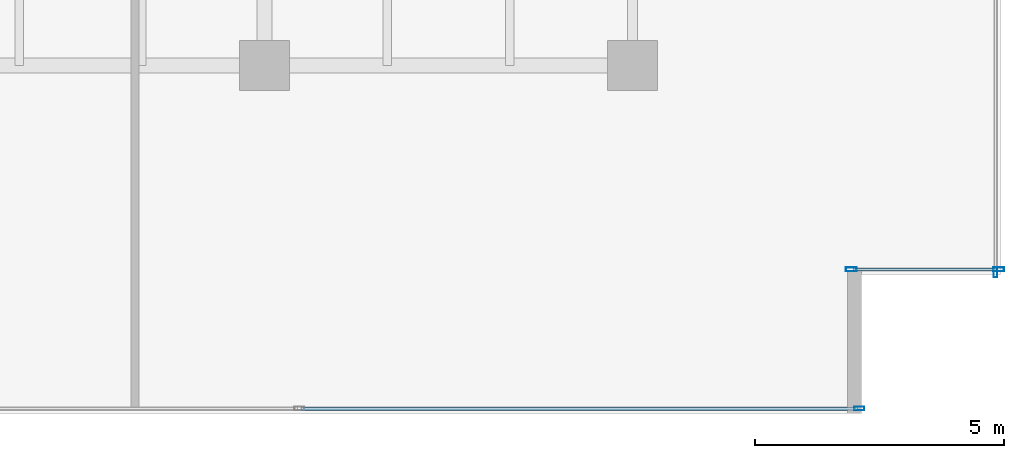
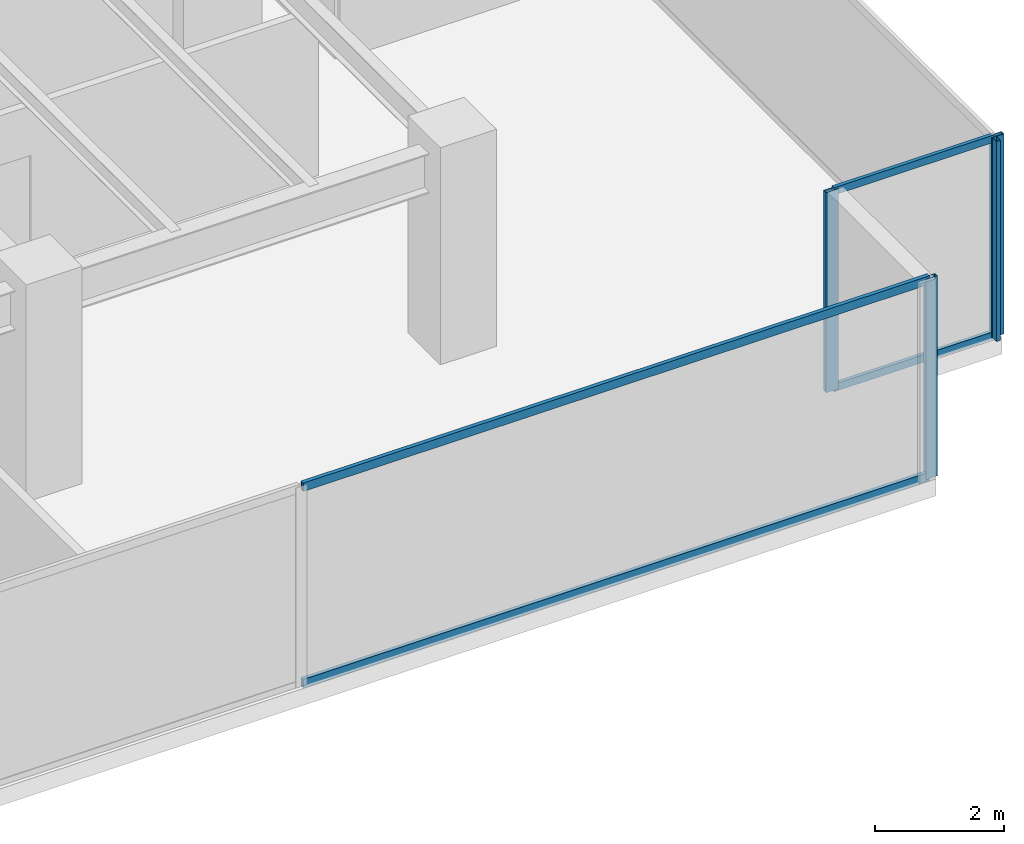
# One storey, part 23 of 35: 8 members, 3 elements without a shape of their own.
"""IFC4 building model written with IfcOpenShell, lengths in metres."""

from ifc_helpers import new_model, si_unit, direction, frame, origin, origin_2d, place, context, subcontext, project, spatial, hollow_rectangle, extrude, source, transform, mapped, material, layer, layer_set, material_profile, profile_set, type_object, type_shapes, element, aggregate, save


model = new_model("IFC4")

# Units and contexts
model_context = context("Model", 3, precision=1e-05, world=origin(), true_north=direction((0.0, 1.0)))
body_context = subcontext(model_context, "Body", "Model", "MODEL_VIEW")
ifc_project = project(units=[si_unit("LENGTHUNIT", "METRE"), si_unit("AREAUNIT", "SQUARE_METRE"), si_unit("VOLUMEUNIT", "CUBIC_METRE"), si_unit("PLANEANGLEUNIT", "RADIAN"), si_unit("MASSUNIT", "GRAM", prefix="KILO")], contexts=[model_context])

# Site, building, storey
site_placement = place(None, origin())
site = spatial("IfcSite", under=ifc_project, at=site_placement, CompositionType="ELEMENT")
building_placement = place(site_placement, origin())
building = spatial("IfcBuilding", under=site, at=building_placement, Name="Haelvirn Gate Laboratories", CompositionType="ELEMENT")
storey_placement = place(building_placement, frame((0.0, 0.0, 86.699951171875)))
storey = spatial("IfcBuildingStorey", under=building, at=storey_placement, Name="L21", CompositionType="ELEMENT", Elevation=86.699951171875)

# Curtain wall, member
ifc_material_1 = material(Name="Anodised bronze unitised aluminium & triple low-E glass", Category="aluminium")
ifc_layer_1 = layer(ifc_material_1, 0.18408203125, Name="CW-SYS-2")
ifc_layer_set_1 = layer_set([ifc_layer_1], Name="Anodised bronze unitised aluminium & triple low-E glass")
curtain_wall_type_1 = type_object("IfcCurtainWallType", Name="CW-SYS-2", PredefinedType="NOTDEFINED", material=ifc_layer_set_1)
curtain_wall_1_placement = place(storey_placement, origin())
curtain_wall_1 = element("IfcCurtainWall", 1, at=curtain_wall_1_placement, inside=storey, type_object=curtain_wall_type_1, Name="L21 Unitised Curtain Wall CW-L21-P0-E04-1", PredefinedType="NOTDEFINED")
ifc_material_2 = material(Name="Extruded aluminium 6063-T6 (anodised bronze)", Category="aluminium")
ifc_material_profile_1 = material_profile(ifc_material_2, hollow_rectangle(XDim=0.074951171875, YDim=0.199951171875, WallThickness=0.0048828125, at=origin_2d()), Name="CWM-200x75x5")
ifc_profile_set_1 = profile_set([ifc_material_profile_1], Name="Extruded aluminium 6063-T6 (anodised bronze)")
member_type_1 = type_object("IfcMemberType", Name="CWM-T200", PredefinedType="MULLION", material=ifc_profile_set_1)
shared_shape_1 = source(origin(), body_context, "Body", "SweptSolid", [
    extrude(hollow_rectangle(XDim=0.074951171875, YDim=0.199951171875, WallThickness=0.0048828125, at=origin_2d()), origin(), (0.0, 0.0, 1.0), 3.780029296875),
])
type_shapes(member_type_1, [shared_shape_1])
member_1_placement = place(storey_placement, frame((71.96240234375, 0.10009765625, 0.0), z_axis=(0.0, 0.0, 1.0), x_axis=(0.0, 1.0, 0.0)))
member_1 = element("IfcMember", 2, at=member_1_placement, type_object=member_type_1, Name="CW2 mullion 3", PredefinedType="MULLION", context=body_context, shape_type="MappedRepresentation", body=[
    mapped(shared_shape_1, transform((0.0, 0.0, 0.0), scale=1.0)),
])

curtain_wall_2_placement = place(storey_placement, origin())
curtain_wall_2 = element("IfcCurtainWall", 3, at=curtain_wall_2_placement, inside=storey, type_object=curtain_wall_type_1, Name="L21 Unitised Curtain Wall CW-L21-P0-E07", PredefinedType="NOTDEFINED")
member_2_placement = place(storey_placement, frame((74.699951171875, 2.83740234375, 0.0), z_axis=(0.0, 0.0, 1.0), x_axis=(-1.0, 0.0, 0.0)))
member_2 = element("IfcMember", 4, at=member_2_placement, type_object=member_type_1, Name="CW2 mullion 1", PredefinedType="MULLION", context=body_context, shape_type="MappedRepresentation", body=[
    mapped(shared_shape_1, transform((0.0, 0.0, 0.0), scale=1.0)),
])
aggregate(curtain_wall_2, [member_2])

# Member
ifc_material_profile_2 = material_profile(ifc_material_2, hollow_rectangle(XDim=0.070068359375, YDim=0.159912109375, WallThickness=0.0048828125, at=origin_2d()), Name="CWT-160x70x5")
ifc_profile_set_2 = profile_set([ifc_material_profile_2], Name="Extruded aluminium 6063-T6 (anodised bronze)")
member_type_2 = type_object("IfcMemberType", Name="CWT-T160", PredefinedType="USERDEFINED", material=ifc_profile_set_2)
shared_shape_2 = source(origin(), body_context, "Body", "SweptSolid", [
    extrude(hollow_rectangle(XDim=0.070068359375, YDim=0.159912109375, WallThickness=0.0048828125, at=origin_2d()), origin(), (0.0, 0.0, 1.0), 11.1875),
])
type_shapes(member_type_2, [shared_shape_2])
member_3_placement = place(storey_placement, frame((60.737548828125, 0.10009765625, 0.03515625), z_axis=(1.0, 0.0, 0.0), x_axis=(0.0, 1.0, 0.0)))
member_3 = element("IfcMember", 5, at=member_3_placement, type_object=member_type_2, Name="CW2 transom 2.1", ObjectType="TRANSOM", PredefinedType="USERDEFINED", context=body_context, shape_type="MappedRepresentation", body=[
    mapped(shared_shape_2, transform((0.0, 0.0, 0.0), scale=1.0)),
])

member_4_placement = place(storey_placement, frame((60.737548828125, 0.10009765625, 3.7451171875), z_axis=(1.0, 0.0, 0.0), x_axis=(0.0, 1.0, 0.0)))
member_4 = element("IfcMember", 6, at=member_4_placement, type_object=member_type_2, Name="CW2 transom 2.2", ObjectType="TRANSOM", PredefinedType="USERDEFINED", context=body_context, shape_type="MappedRepresentation", body=[
    mapped(shared_shape_2, transform((0.0, 0.0, 0.0), scale=1.0)),
])

aggregate(curtain_wall_1, [member_1, member_3, member_4])

# Curtain wall, members
ifc_layer_2 = layer(ifc_material_1, 0.181884765625, Name="CW-SYS-5")
ifc_layer_set_2 = layer_set([ifc_layer_2], Name="Anodised bronze unitised aluminium & triple low-E glass")
curtain_wall_type_2 = type_object("IfcCurtainWallType", Name="CW-SYS-5", PredefinedType="NOTDEFINED", material=ifc_layer_set_2)
curtain_wall_3_placement = place(storey_placement, origin())
curtain_wall_3 = element("IfcCurtainWall", 7, at=curtain_wall_3_placement, inside=storey, type_object=curtain_wall_type_2, Name="L21 Unitised Curtain Wall CW-L21-P0-E06-1", PredefinedType="NOTDEFINED")
ifc_material_profile_3 = material_profile(ifc_material_2, hollow_rectangle(XDim=0.080078125, YDim=0.219970703125, WallThickness=0.006103515625, at=origin_2d()), Name="CWM-220x80x6")
ifc_profile_set_3 = profile_set([ifc_material_profile_3], Name="Extruded aluminium 6063-T6 (anodised bronze)")
member_type_3 = type_object("IfcMemberType", Name="CWM-T220", PredefinedType="MULLION", material=ifc_profile_set_3)
shared_shape_3 = source(origin(), body_context, "Body", "SweptSolid", [
    extrude(hollow_rectangle(XDim=0.080078125, YDim=0.219970703125, WallThickness=0.006103515625, at=origin_2d()), origin(), (0.0, 0.0, 1.0), 3.780029296875),
])
type_shapes(member_type_3, [shared_shape_3])
member_5_placement = place(storey_placement, frame((71.800048828125, 2.89990234375, 0.0), z_axis=(0.0, 0.0, 1.0), x_axis=(0.0, 1.0, 0.0)))
member_5 = element("IfcMember", 8, at=member_5_placement, type_object=member_type_3, Name="CW5 mullion 1", PredefinedType="MULLION", context=body_context, shape_type="MappedRepresentation", body=[
    mapped(shared_shape_3, transform((0.0, 0.0, 0.0), scale=1.0)),
])
member_6_placement = place(storey_placement, frame((74.760009765625, 2.89990234375, 0.0), z_axis=(0.0, 0.0, 1.0), x_axis=(0.0, 1.0, 0.0)))
member_6 = element("IfcMember", 9, at=member_6_placement, type_object=member_type_3, Name="CW5 mullion 2", PredefinedType="MULLION", context=body_context, shape_type="MappedRepresentation", body=[
    mapped(shared_shape_3, transform((0.0, 0.0, 0.0), scale=1.0)),
])
ifc_material_profile_4 = material_profile(ifc_material_2, hollow_rectangle(XDim=0.06494140625, YDim=0.139892578125, WallThickness=0.00390625, at=origin_2d()), Name="CWT-140x65x4")
ifc_profile_set_4 = profile_set([ifc_material_profile_4], Name="Extruded aluminium 6063-T6 (anodised bronze)")
member_type_4 = type_object("IfcMemberType", Name="CWT-T140", PredefinedType="USERDEFINED", material=ifc_profile_set_4)
shared_shape_4 = source(origin(), body_context, "Body", "SweptSolid", [
    extrude(hollow_rectangle(XDim=0.06494140625, YDim=0.139892578125, WallThickness=0.00390625, at=origin_2d()), origin(), (0.0, 0.0, 1.0), 2.8798828125),
])
type_shapes(member_type_4, [shared_shape_4])
member_7_placement = place(storey_placement, frame((71.840087890625, 2.89990234375, 0.032470703125), z_axis=(1.0, 0.0, 0.0), x_axis=(0.0, 1.0, 0.0)))
member_7 = element("IfcMember", 10, at=member_7_placement, type_object=member_type_4, Name="CW5 transom 1.1", ObjectType="TRANSOM", PredefinedType="USERDEFINED", context=body_context, shape_type="MappedRepresentation", body=[
    mapped(shared_shape_4, transform((0.0, 0.0, 0.0), scale=1.0)),
])
member_8_placement = place(storey_placement, frame((71.840087890625, 2.89990234375, 3.74755859375), z_axis=(1.0, 0.0, 0.0), x_axis=(0.0, 1.0, 0.0)))
member_8 = element("IfcMember", 11, at=member_8_placement, type_object=member_type_4, Name="CW5 transom 1.2", ObjectType="TRANSOM", PredefinedType="USERDEFINED", context=body_context, shape_type="MappedRepresentation", body=[
    mapped(shared_shape_4, transform((0.0, 0.0, 0.0), scale=1.0)),
])
aggregate(curtain_wall_3, [member_5, member_6, member_7, member_8])

save(model, "model.ifc")
